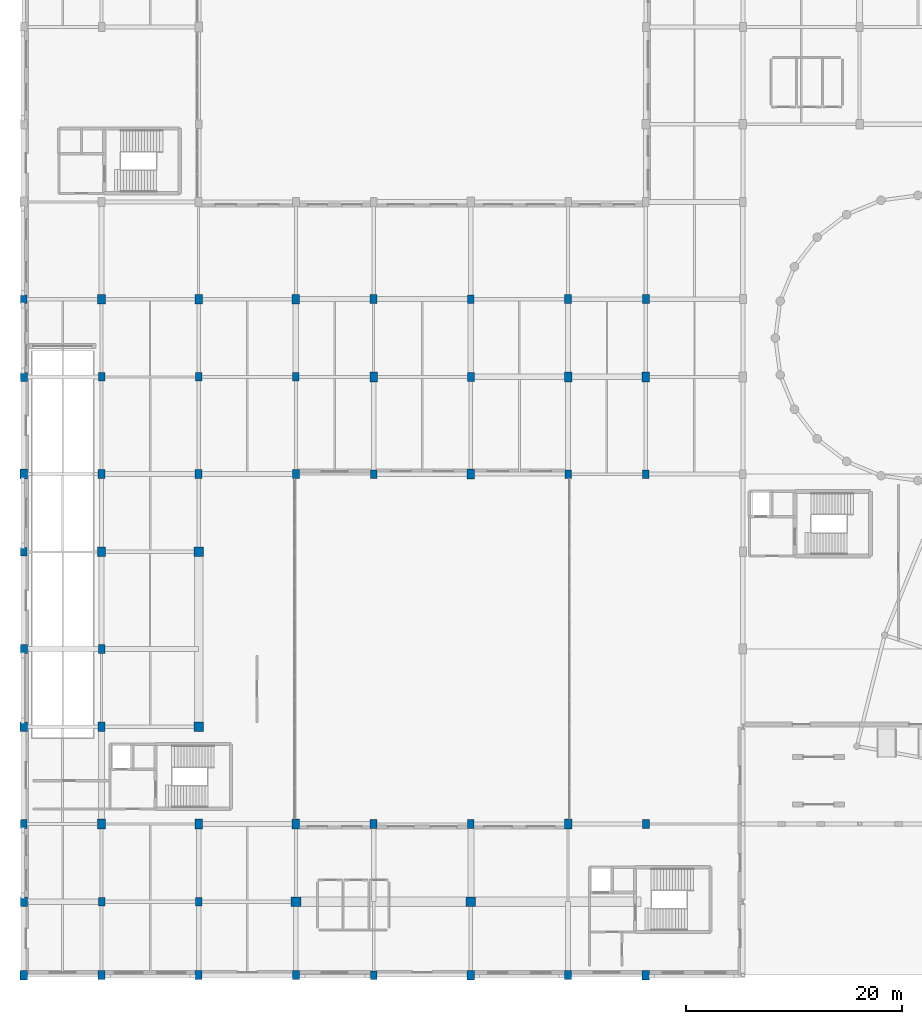
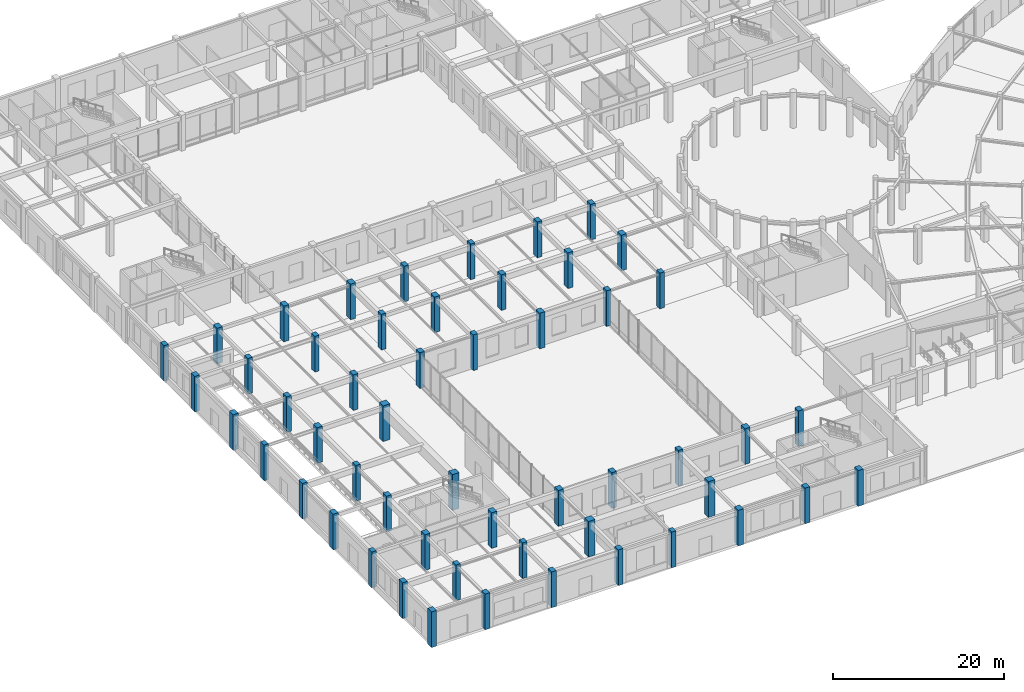
# One storey, part 1 of 64: 53 columns.
"""IFC4 building model written with IfcOpenShell, lengths in metres."""

from ifc_helpers import new_model, si_unit, direction, frame, origin, origin_2d, place, context, subcontext, project, spatial, rectangle, extrude, material, material_profile, profile_set, type_object, element, save


model = new_model("IFC4")

# Units and contexts
model_context = context("Model", 3, precision=1e-05, world=origin(), true_north=direction((0.0, 1.0)))
body_context = subcontext(model_context, "Body", "Model", "MODEL_VIEW")
ifc_project = project(units=[si_unit("LENGTHUNIT", "METRE"), si_unit("AREAUNIT", "SQUARE_METRE"), si_unit("VOLUMEUNIT", "CUBIC_METRE"), si_unit("PLANEANGLEUNIT", "RADIAN"), si_unit("MASSUNIT", "GRAM", prefix="KILO")], contexts=[model_context])

# Site, building, storey
site_placement = place(None, origin())
site = spatial("IfcSite", under=ifc_project, at=site_placement, CompositionType="ELEMENT")
building_placement = place(site_placement, origin())
building = spatial("IfcBuilding", under=site, at=building_placement, Name="Clarverna Civic Hall", CompositionType="ELEMENT")
storey_placement = place(building_placement, origin())
storey = spatial("IfcBuildingStorey", under=building, at=storey_placement, Name="L00", CompositionType="ELEMENT", Elevation=0.0)

# Columns
ifc_material_1 = material(Name="Concrete C35/45", Category="concrete")
ifc_material_profile_1 = material_profile(ifc_material_1, rectangle(XDim=0.60009765625, YDim=0.800048828125, at=origin_2d()), Name="RC 600x800")
ifc_profile_set_1 = profile_set([ifc_material_profile_1], Name="Concrete C35/45")
column_type_1 = type_object("IfcColumnType", Name="C-RC15", PredefinedType="COLUMN", material=ifc_profile_set_1)
for number, where, z_axis, x_axis, name in (
    (1, (0.0, 14.0, 0.0), (0.0, 0.0, 1.0), (1.0, 0.0, 0.0), "C-RC15-001"),
    (2, (0.0, 39.199951171875, 0.0), (0.0, 0.0, 1.0), (1.0, 0.0, 0.0), "C-RC15-002"),
    (3, (0.0, 62.60009765625, 0.0), (0.0, 0.0, 1.0), (1.0, 0.0, 0.0), "C-RC15-003"),
    (4, (7.199951171875, 6.800048828125, 0.0), (0.0, 0.0, 1.0), (1.0, 0.0, 0.0), "C-RC15-006"),
    (5, (7.199951171875, 30.199951171875, 0.0), (0.0, 0.0, 1.0), (1.0, 0.0, 0.0), "C-RC15-007"),
    (6, (7.199951171875, 55.39990234375, 0.0), (0.0, 0.0, 1.0), (1.0, 0.0, 0.0), "C-RC15-008"),
    (7, (16.199951171875, 6.800048828125, 0.0), (0.0, 0.0, 1.0), (1.0, 0.0, 0.0), "C-RC15-011"),
    (8, (16.199951171875, 55.39990234375, 0.0), (0.0, 0.0, 1.0), (1.0, 0.0, 0.0), "C-RC15-012"),
    (9, (25.199951171875, 55.39990234375, 0.0), (0.0, 0.0, 1.0), (1.0, 0.0, 0.0), "C-RC15-015"),
    (10, (32.39990234375, 0.0, 0.0), (0.0, 0.0, 1.0), (1.0, 0.0, 0.0), "C-RC15-017"),
    (11, (32.39990234375, 46.39990234375, 0.0), (0.0, 0.0, 1.0), (1.0, 0.0, 0.0), "C-RC15-018"),
    (12, (41.39990234375, 14.0, 0.0), (0.0, 0.0, 1.0), (1.0, 0.0, 0.0), "C-RC15-021"),
    (13, (41.39990234375, 62.60009765625, 0.0), (0.0, 0.0, 1.0), (1.0, 0.0, 0.0), "C-RC15-022"),
    (14, (50.39990234375, 46.39990234375, 0.0), (0.0, 0.0, 1.0), (1.0, 0.0, 0.0), "C-RC15-023"),
    (15, (57.60009765625, 46.39990234375, 0.0), (0.0, 0.0, 1.0), (1.0, 0.0, 0.0), "C-RC15-026"),
):
    element("IfcColumn", number, at=place(storey_placement, frame(where, z_axis=z_axis, x_axis=x_axis)), inside=storey, type_object=column_type_1, Name=name, PredefinedType="COLUMN", context=body_context, shape_type="SweptSolid", body=[
        extrude(rectangle(XDim=0.60009765625, YDim=0.800048828125, at=origin_2d()), origin(), (0.0, 0.0, 1.0), 5.10009765625),
    ])
ifc_material_2 = material(Name="Concrete C40/50", Category="concrete")
ifc_material_profile_2 = material_profile(ifc_material_2, rectangle(XDim=0.89990234375, YDim=0.89990234375, at=origin_2d()), Name="RC 900x900")
ifc_profile_set_2 = profile_set([ifc_material_profile_2], Name="Concrete C40/50")
column_type_2 = type_object("IfcColumnType", Name="C-RC2", PredefinedType="COLUMN", material=ifc_profile_set_2)
for number, where, z_axis, x_axis, name in (
    (16, (16.199951171875, 23.0, 0.0), (0.0, 0.0, 1.0), (1.0, 0.0, 0.0), "C-RC2-001"),
    (17, (16.199951171875, 39.199951171875, 0.0), (0.0, 0.0, 1.0), (1.0, 0.0, 0.0), "C-RC2-002"),
    (18, (25.199951171875, 6.800048828125, 0.0), (0.0, 0.0, 1.0), (1.0, 0.0, 0.0), "C-RC2-003"),
    (19, (41.39990234375, 6.800048828125, 0.0), (0.0, 0.0, 1.0), (1.0, 0.0, 0.0), "C-RC2-005"),
):
    element("IfcColumn", number, at=place(storey_placement, frame(where, z_axis=z_axis, x_axis=x_axis)), inside=storey, type_object=column_type_2, Name=name, PredefinedType="COLUMN", context=body_context, shape_type="SweptSolid", body=[
        extrude(rectangle(XDim=0.89990234375, YDim=0.89990234375, at=origin_2d()), origin(), (0.0, 0.0, 1.0), 5.10009765625),
    ])
ifc_material_profile_3 = material_profile(ifc_material_2, rectangle(XDim=0.699951171875, YDim=0.89990234375, at=origin_2d()), Name="RC 700x900")
ifc_profile_set_3 = profile_set([ifc_material_profile_3], Name="Concrete C40/50")
column_type_3 = type_object("IfcColumnType", Name="C-RC6", PredefinedType="COLUMN", material=ifc_profile_set_3)
for number, where, z_axis, x_axis, name in (
    (20, (0.0, 0.0, 0.0), (0.0, 0.0, 1.0), (1.0, 0.0, 0.0), "C-RC6-001"),
    (21, (0.0, 23.0, 0.0), (0.0, 0.0, 1.0), (1.0, 0.0, 0.0), "C-RC6-003"),
    (22, (0.0, 46.39990234375, 0.0), (0.0, 0.0, 1.0), (1.0, 0.0, 0.0), "C-RC6-005"),
    (23, (7.199951171875, 14.0, 0.0), (0.0, 0.0, 1.0), (1.0, 0.0, 0.0), "C-RC6-013"),
    (24, (7.199951171875, 39.199951171875, 0.0), (0.0, 0.0, 1.0), (1.0, 0.0, 0.0), "C-RC6-015"),
    (25, (7.199951171875, 62.60009765625, 0.0), (0.0, 0.0, 1.0), (1.0, 0.0, 0.0), "C-RC6-017"),
    (26, (16.199951171875, 14.0, 0.0), (0.0, 0.0, 1.0), (1.0, 0.0, 0.0), "C-RC6-023"),
    (27, (16.199951171875, 62.60009765625, 0.0), (0.0, 0.0, 1.0), (1.0, 0.0, 0.0), "C-RC6-026"),
    (28, (25.199951171875, 14.0, 0.0), (0.0, 0.0, 1.0), (1.0, 0.0, 0.0), "C-RC6-031"),
    (29, (25.199951171875, 62.60009765625, 0.0), (0.0, 0.0, 1.0), (1.0, 0.0, 0.0), "C-RC6-033"),
    (30, (32.39990234375, 55.39990234375, 0.0), (0.0, 0.0, 1.0), (1.0, 0.0, 0.0), "C-RC6-037"),
    (31, (41.39990234375, 0.0, 0.0), (0.0, 0.0, 1.0), (1.0, 0.0, 0.0), "C-RC6-041"),
    (32, (41.39990234375, 46.39990234375, 0.0), (0.0, 0.0, 1.0), (1.0, 0.0, 0.0), "C-RC6-043"),
    (33, (50.39990234375, 14.0, 0.0), (0.0, 0.0, 1.0), (1.0, 0.0, 0.0), "C-RC6-048"),
    (34, (50.39990234375, 55.39990234375, 0.0), (0.0, 0.0, 1.0), (1.0, 0.0, 0.0), "C-RC6-050"),
    (35, (57.60009765625, 0.0, 0.0), (0.0, 0.0, 1.0), (1.0, 0.0, 0.0), "C-RC6-054"),
    (36, (57.60009765625, 55.39990234375, 0.0), (0.0, 0.0, 1.0), (1.0, 0.0, 0.0), "C-RC6-056"),
):
    element("IfcColumn", number, at=place(storey_placement, frame(where, z_axis=z_axis, x_axis=x_axis)), inside=storey, type_object=column_type_3, Name=name, PredefinedType="COLUMN", context=body_context, shape_type="SweptSolid", body=[
        extrude(rectangle(XDim=0.699951171875, YDim=0.89990234375, at=origin_2d()), origin(), (0.0, 0.0, 1.0), 5.10009765625),
    ])
ifc_material_profile_4 = material_profile(ifc_material_2, rectangle(XDim=0.64990234375, YDim=0.85009765625, at=origin_2d()), Name="RC 650x850")
ifc_profile_set_4 = profile_set([ifc_material_profile_4], Name="Concrete C40/50")
column_type_4 = type_object("IfcColumnType", Name="C-RC7", PredefinedType="COLUMN", material=ifc_profile_set_4)
for number, where, z_axis, x_axis, name in (
    (37, (0.0, 6.800048828125, 0.0), (0.0, 0.0, 1.0), (1.0, 0.0, 0.0), "C-RC7-001"),
    (38, (0.0, 30.199951171875, 0.0), (0.0, 0.0, 1.0), (1.0, 0.0, 0.0), "C-RC7-002"),
    (39, (0.0, 55.39990234375, 0.0), (0.0, 0.0, 1.0), (1.0, 0.0, 0.0), "C-RC7-003"),
    (40, (7.199951171875, 0.0, 0.0), (0.0, 0.0, 1.0), (1.0, 0.0, 0.0), "C-RC7-006"),
    (41, (7.199951171875, 23.0, 0.0), (0.0, 0.0, 1.0), (1.0, 0.0, 0.0), "C-RC7-007"),
    (42, (7.199951171875, 46.39990234375, 0.0), (0.0, 0.0, 1.0), (1.0, 0.0, 0.0), "C-RC7-008"),
    (43, (16.199951171875, 0.0, 0.0), (0.0, 0.0, 1.0), (1.0, 0.0, 0.0), "C-RC7-011"),
    (44, (16.199951171875, 46.39990234375, 0.0), (0.0, 0.0, 1.0), (1.0, 0.0, 0.0), "C-RC7-012"),
    (45, (25.199951171875, 0.0, 0.0), (0.0, 0.0, 1.0), (1.0, 0.0, 0.0), "C-RC7-015"),
    (46, (25.199951171875, 46.39990234375, 0.0), (0.0, 0.0, 1.0), (1.0, 0.0, 0.0), "C-RC7-016"),
    (47, (32.39990234375, 14.0, 0.0), (0.0, 0.0, 1.0), (1.0, 0.0, 0.0), "C-RC7-019"),
    (48, (32.39990234375, 62.60009765625, 0.0), (0.0, 0.0, 1.0), (1.0, 0.0, 0.0), "C-RC7-020"),
    (49, (41.39990234375, 55.39990234375, 0.0), (0.0, 0.0, 1.0), (1.0, 0.0, 0.0), "C-RC7-021"),
    (50, (50.39990234375, 0.0, 0.0), (0.0, 0.0, 1.0), (1.0, 0.0, 0.0), "C-RC7-023"),
    (51, (50.39990234375, 62.60009765625, 0.0), (0.0, 0.0, 1.0), (1.0, 0.0, 0.0), "C-RC7-024"),
    (52, (57.60009765625, 14.0, 0.0), (0.0, 0.0, 1.0), (1.0, 0.0, 0.0), "C-RC7-026"),
    (53, (57.60009765625, 62.60009765625, 0.0), (0.0, 0.0, 1.0), (1.0, 0.0, 0.0), "C-RC7-027"),
):
    element("IfcColumn", number, at=place(storey_placement, frame(where, z_axis=z_axis, x_axis=x_axis)), inside=storey, type_object=column_type_4, Name=name, PredefinedType="COLUMN", context=body_context, shape_type="SweptSolid", body=[
        extrude(rectangle(XDim=0.64990234375, YDim=0.85009765625, at=origin_2d()), origin(), (0.0, 0.0, 1.0), 5.10009765625),
    ])

save(model, "model.ifc")
